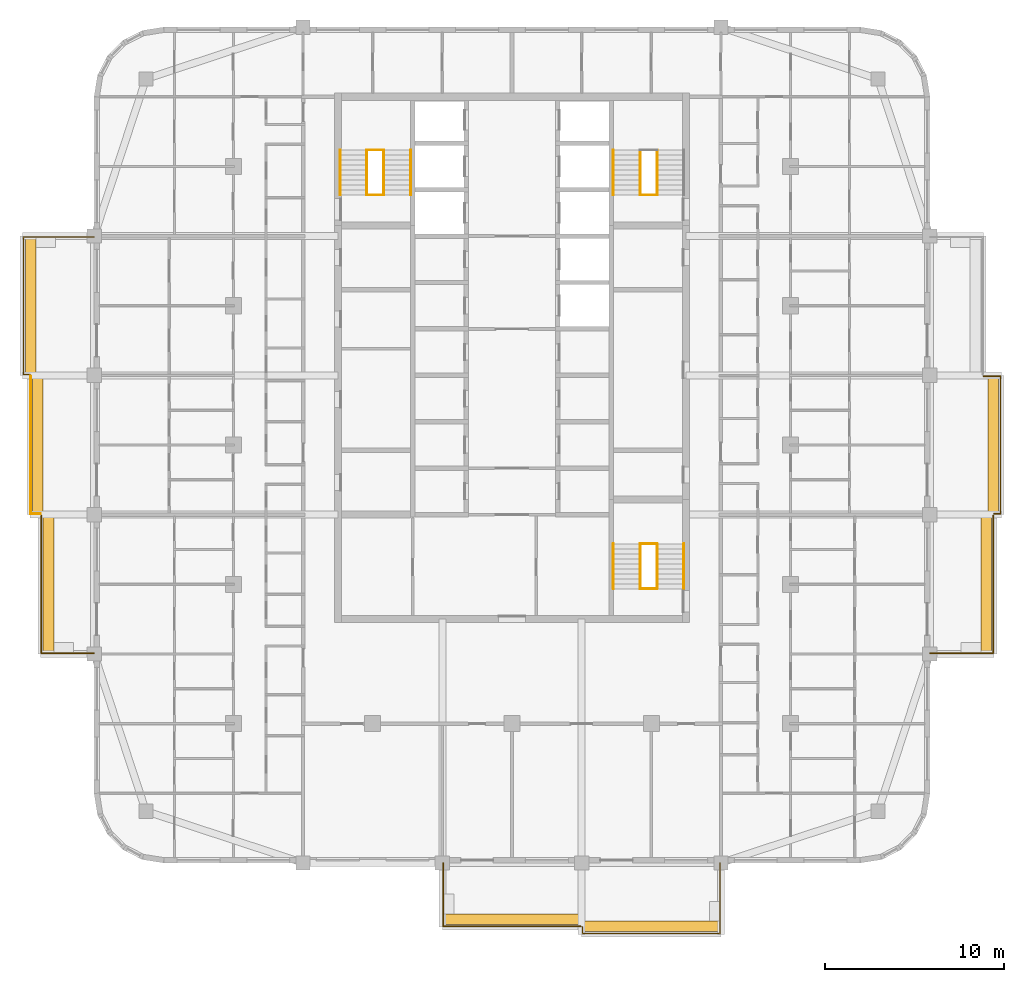
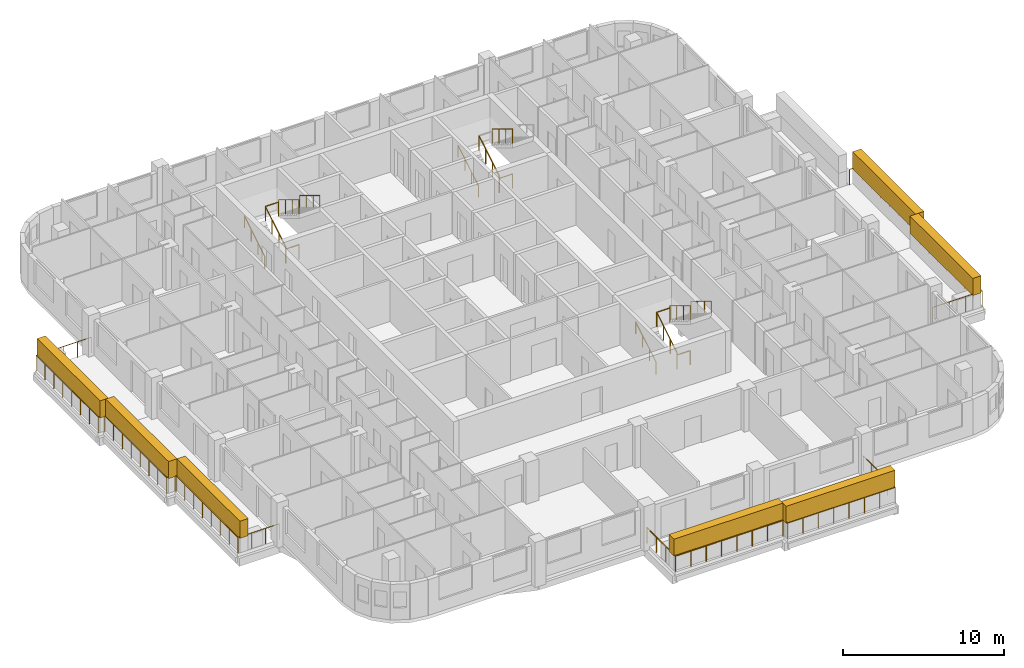
# One storey, part 15 of 16: 23 railings, 7 coverings, 3 elements without a shape of their own.
"""IFC4 building model written with IfcOpenShell, lengths in metres."""

from ifc_helpers import new_model, si_unit, direction, frame, origin, origin_2d, place, context, subcontext, project, spatial, rectangle, circle, extrude, material, layer, layer_set, type_object, element, aggregate, save


model = new_model("IFC4")

# Units and contexts
model_context = context("Model", 3, precision=1e-05, world=origin(), true_north=direction((0.0, 1.0)))
body_context = subcontext(model_context, "Body", "Model", "MODEL_VIEW")
ifc_project = project(units=[si_unit("LENGTHUNIT", "METRE"), si_unit("AREAUNIT", "SQUARE_METRE"), si_unit("VOLUMEUNIT", "CUBIC_METRE"), si_unit("PLANEANGLEUNIT", "RADIAN"), si_unit("MASSUNIT", "GRAM", prefix="KILO")], contexts=[model_context])

# Site, building, storey
site_placement = place(None, origin())
site = spatial("IfcSite", under=ifc_project, at=site_placement, CompositionType="ELEMENT")
building_placement = place(site_placement, origin())
building = spatial("IfcBuilding", under=site, at=building_placement, Name="Ludao Terraces", CompositionType="ELEMENT")
storey_placement = place(building_placement, frame((0.0, 0.0, 234.699951171875)))
storey = spatial("IfcBuildingStorey", under=building, at=storey_placement, Name="L64", CompositionType="ELEMENT", Elevation=234.699951171875)

# Railings
ifc_material_1 = material(Name="Stainless steel 304", Category="steel")
railing_type_1 = type_object("IfcRailingType", Name="ENV Balcony glass guard 1200", PredefinedType="GUARDRAIL", material=ifc_material_1)
railing_1_placement = place(storey_placement, frame((81.14990234375, 41.60009765625, 0.0)))
element("IfcRailing", 1, at=railing_1_placement, inside=storey, type_object=railing_type_1, Name="Balcony guard L64 S2", PredefinedType="GUARDRAIL", context=body_context, shape_type="SweptSolid", body=[
    extrude(circle(Radius=0.02392578125, at=origin_2d()), frame((0.0, 0.0, 1.17578125), z_axis=(0.0, -1.0, 0.0), x_axis=(1.0, 0.0, 0.0)), (0.0, 0.0, 1.0), 3.550048828125),
    extrude(circle(Radius=0.02392578125, at=origin_2d()), frame((0.0, -3.550048828125, 1.17578125), z_axis=(1.0, 0.0, 0.0), x_axis=(0.0, 1.0, 0.0)), (0.0, 0.0, 1.0), 7.7001953125),
    extrude(circle(Radius=0.02099609375, at=origin_2d()), origin(), (0.0, 0.0, 1.0), 1.15185546875),
    extrude(circle(Radius=0.02099609375, at=origin_2d()), frame((0.0, -1.183349609375, 0.0)), (0.0, 0.0, 1.0), 1.15185546875),
    extrude(circle(Radius=0.02099609375, at=origin_2d()), frame((0.0, -2.36669921875, 0.0)), (0.0, 0.0, 1.0), 1.15185546875),
    extrude(circle(Radius=0.02099609375, at=origin_2d()), frame((0.0, -3.550048828125, 0.0)), (0.0, 0.0, 1.0), 1.15185546875),
    extrude(circle(Radius=0.02099609375, at=origin_2d()), frame((1.10009765625, -3.550048828125, 0.0)), (0.0, 0.0, 1.0), 1.15185546875),
    extrude(circle(Radius=0.02099609375, at=origin_2d()), frame((2.199951171875, -3.550048828125, 0.0)), (0.0, 0.0, 1.0), 1.15185546875),
    extrude(circle(Radius=0.02099609375, at=origin_2d()), frame((3.300048828125, -3.550048828125, 0.0)), (0.0, 0.0, 1.0), 1.15185546875),
    extrude(circle(Radius=0.02099609375, at=origin_2d()), frame((4.400146484375, -3.550048828125, 0.0)), (0.0, 0.0, 1.0), 1.15185546875),
    extrude(circle(Radius=0.02099609375, at=origin_2d()), frame((5.500244140625, -3.550048828125, 0.0)), (0.0, 0.0, 1.0), 1.15185546875),
    extrude(circle(Radius=0.02099609375, at=origin_2d()), frame((6.60009765625, -3.550048828125, 0.0)), (0.0, 0.0, 1.0), 1.15185546875),
    extrude(circle(Radius=0.02099609375, at=origin_2d()), frame((7.7001953125, -3.550048828125, 0.0)), (0.0, 0.0, 1.0), 1.15185546875),
])
railing_2_placement = place(storey_placement, frame((88.949951171875, 38.0, 0.0)))
element("IfcRailing", 2, at=railing_2_placement, inside=storey, type_object=railing_type_1, Name="Balcony guard L64 S3", PredefinedType="GUARDRAIL", context=body_context, shape_type="SweptSolid", body=[
    extrude(circle(Radius=0.02392578125, at=origin_2d()), frame((0.0, 0.0, 1.17578125), z_axis=(0.0, -1.0, 0.0), x_axis=(1.0, 0.0, 0.0)), (0.0, 0.0, 1.0), 0.35009765625),
    extrude(circle(Radius=0.02392578125, at=origin_2d()), frame((0.0, -0.35009765625, 1.17578125), z_axis=(1.0, 0.0, 0.0), x_axis=(0.0, 1.0, 0.0)), (0.0, 0.0, 1.0), 7.699951171875),
    extrude(circle(Radius=0.02392578125, at=origin_2d()), frame((7.699951171875, -0.35009765625, 1.17578125), z_axis=(0.0, 1.0, 0.0), x_axis=(-1.0, 0.0, 0.0)), (0.0, 0.0, 1.0), 3.9501953125),
    extrude(circle(Radius=0.02099609375, at=origin_2d()), origin(), (0.0, 0.0, 1.0), 1.15185546875),
    extrude(circle(Radius=0.02099609375, at=origin_2d()), frame((0.0, -0.35009765625, 0.0)), (0.0, 0.0, 1.0), 1.15185546875),
    extrude(circle(Radius=0.02099609375, at=origin_2d()), frame((1.10009765625, -0.35009765625, 0.0)), (0.0, 0.0, 1.0), 1.15185546875),
    extrude(circle(Radius=0.02099609375, at=origin_2d()), frame((2.199951171875, -0.35009765625, 0.0)), (0.0, 0.0, 1.0), 1.15185546875),
    extrude(circle(Radius=0.02099609375, at=origin_2d()), frame((3.300048828125, -0.35009765625, 0.0)), (0.0, 0.0, 1.0), 1.15185546875),
    extrude(circle(Radius=0.02099609375, at=origin_2d()), frame((4.39990234375, -0.35009765625, 0.0)), (0.0, 0.0, 1.0), 1.15185546875),
    extrude(circle(Radius=0.02099609375, at=origin_2d()), frame((5.5, -0.35009765625, 0.0)), (0.0, 0.0, 1.0), 1.15185546875),
    extrude(circle(Radius=0.02099609375, at=origin_2d()), frame((6.599853515625, -0.35009765625, 0.0)), (0.0, 0.0, 1.0), 1.15185546875),
    extrude(circle(Radius=0.02099609375, at=origin_2d()), frame((7.699951171875, -0.35009765625, 0.0)), (0.0, 0.0, 1.0), 1.15185546875),
    extrude(circle(Radius=0.02099609375, at=origin_2d()), frame((7.699951171875, 0.637451171875, 0.0)), (0.0, 0.0, 1.0), 1.15185546875),
    extrude(circle(Radius=0.02099609375, at=origin_2d()), frame((7.699951171875, 1.625, 0.0)), (0.0, 0.0, 1.0), 1.15185546875),
    extrude(circle(Radius=0.02099609375, at=origin_2d()), frame((7.699951171875, 2.612548828125, 0.0)), (0.0, 0.0, 1.0), 1.15185546875),
    extrude(circle(Radius=0.02099609375, at=origin_2d()), frame((7.699951171875, 3.60009765625, 0.0)), (0.0, 0.0, 1.0), 1.15185546875),
])
railing_3_placement = place(storey_placement, frame((108.39990234375, 53.35009765625, 0.0)))
element("IfcRailing", 3, at=railing_3_placement, inside=storey, type_object=railing_type_1, Name="Balcony guard L64 E1", PredefinedType="GUARDRAIL", context=body_context, shape_type="SweptSolid", body=[
    extrude(circle(Radius=0.02392578125, at=origin_2d()), frame((0.0, 0.0, 1.17578125), z_axis=(1.0, 0.0, 0.0), x_axis=(0.0, 1.0, 0.0)), (0.0, 0.0, 1.0), 3.550048828125),
    extrude(circle(Radius=0.02392578125, at=origin_2d()), frame((3.550048828125, 0.0, 1.17578125), z_axis=(0.0, 1.0, 0.0), x_axis=(-1.0, 0.0, 0.0)), (0.0, 0.0, 1.0), 7.699951171875),
    extrude(circle(Radius=0.02099609375, at=origin_2d()), origin(), (0.0, 0.0, 1.0), 1.15185546875),
    extrude(circle(Radius=0.02099609375, at=origin_2d()), frame((1.183349609375, 0.0, 0.0)), (0.0, 0.0, 1.0), 1.15185546875),
    extrude(circle(Radius=0.02099609375, at=origin_2d()), frame((2.36669921875, 0.0, 0.0)), (0.0, 0.0, 1.0), 1.15185546875),
    extrude(circle(Radius=0.02099609375, at=origin_2d()), frame((3.550048828125, 0.0, 0.0)), (0.0, 0.0, 1.0), 1.15185546875),
    extrude(circle(Radius=0.02099609375, at=origin_2d()), frame((3.550048828125, 1.10009765625, 0.0)), (0.0, 0.0, 1.0), 1.15185546875),
    extrude(circle(Radius=0.02099609375, at=origin_2d()), frame((3.550048828125, 2.199951171875, 0.0)), (0.0, 0.0, 1.0), 1.15185546875),
    extrude(circle(Radius=0.02099609375, at=origin_2d()), frame((3.550048828125, 3.300048828125, 0.0)), (0.0, 0.0, 1.0), 1.15185546875),
    extrude(circle(Radius=0.02099609375, at=origin_2d()), frame((3.550048828125, 4.39990234375, 0.0)), (0.0, 0.0, 1.0), 1.15185546875),
    extrude(circle(Radius=0.02099609375, at=origin_2d()), frame((3.550048828125, 5.5, 0.0)), (0.0, 0.0, 1.0), 1.15185546875),
    extrude(circle(Radius=0.02099609375, at=origin_2d()), frame((3.550048828125, 6.599853515625, 0.0)), (0.0, 0.0, 1.0), 1.15185546875),
    extrude(circle(Radius=0.02099609375, at=origin_2d()), frame((3.550048828125, 7.699951171875, 0.0)), (0.0, 0.0, 1.0), 1.15185546875),
])
railing_4_placement = place(storey_placement, frame((112.0, 61.14990234375, 0.0)))
element("IfcRailing", 4, at=railing_4_placement, inside=storey, type_object=railing_type_1, Name="Balcony guard L64 E2", PredefinedType="GUARDRAIL", context=body_context, shape_type="SweptSolid", body=[
    extrude(circle(Radius=0.02392578125, at=origin_2d()), frame((0.0, 0.0, 1.17578125), z_axis=(1.0, 0.0, 0.0), x_axis=(0.0, 1.0, 0.0)), (0.0, 0.0, 1.0), 0.35009765625),
    extrude(circle(Radius=0.02392578125, at=origin_2d()), frame((0.35009765625, 0.0, 1.17578125), z_axis=(0.0, 1.0, 0.0), x_axis=(-1.0, 0.0, 0.0)), (0.0, 0.0, 1.0), 7.7001953125),
    extrude(circle(Radius=0.02392578125, at=origin_2d()), frame((0.35009765625, 7.7001953125, 1.17578125), z_axis=(-1.0, 0.0, 0.0), x_axis=(0.0, -1.0, 0.0)), (0.0, 0.0, 1.0), 0.9501953125),
    extrude(circle(Radius=0.02099609375, at=origin_2d()), origin(), (0.0, 0.0, 1.0), 1.15185546875),
    extrude(circle(Radius=0.02099609375, at=origin_2d()), frame((0.35009765625, 0.0, 0.0)), (0.0, 0.0, 1.0), 1.15185546875),
    extrude(circle(Radius=0.02099609375, at=origin_2d()), frame((0.35009765625, 1.10009765625, 0.0)), (0.0, 0.0, 1.0), 1.15185546875),
    extrude(circle(Radius=0.02099609375, at=origin_2d()), frame((0.35009765625, 2.199951171875, 0.0)), (0.0, 0.0, 1.0), 1.15185546875),
    extrude(circle(Radius=0.02099609375, at=origin_2d()), frame((0.35009765625, 3.300048828125, 0.0)), (0.0, 0.0, 1.0), 1.15185546875),
    extrude(circle(Radius=0.02099609375, at=origin_2d()), frame((0.35009765625, 4.400146484375, 0.0)), (0.0, 0.0, 1.0), 1.15185546875),
    extrude(circle(Radius=0.02099609375, at=origin_2d()), frame((0.35009765625, 5.500244140625, 0.0)), (0.0, 0.0, 1.0), 1.15185546875),
    extrude(circle(Radius=0.02099609375, at=origin_2d()), frame((0.35009765625, 6.60009765625, 0.0)), (0.0, 0.0, 1.0), 1.15185546875),
    extrude(circle(Radius=0.02099609375, at=origin_2d()), frame((0.35009765625, 7.7001953125, 0.0)), (0.0, 0.0, 1.0), 1.15185546875),
    extrude(circle(Radius=0.02099609375, at=origin_2d()), frame((-0.60009765625, 7.7001953125, 0.0)), (0.0, 0.0, 1.0), 1.15185546875),
])
railing_5_placement = place(storey_placement, frame((61.60009765625, 53.35009765625, 0.0)))
element("IfcRailing", 5, at=railing_5_placement, inside=storey, type_object=railing_type_1, Name="Balcony guard L64 W1", PredefinedType="GUARDRAIL", context=body_context, shape_type="SweptSolid", body=[
    extrude(circle(Radius=0.02392578125, at=origin_2d()), frame((0.0, 0.0, 1.17578125), z_axis=(-1.0, 0.0, 0.0), x_axis=(0.0, -1.0, 0.0)), (0.0, 0.0, 1.0), 2.9501953125),
    extrude(circle(Radius=0.02392578125, at=origin_2d()), frame((-2.9501953125, 0.0, 1.17578125), z_axis=(0.0, 1.0, 0.0), x_axis=(-1.0, 0.0, 0.0)), (0.0, 0.0, 1.0), 7.699951171875),
    extrude(circle(Radius=0.02099609375, at=origin_2d()), origin(), (0.0, 0.0, 1.0), 1.15185546875),
    extrude(circle(Radius=0.02099609375, at=origin_2d()), frame((-0.9833984375, 0.0, 0.0)), (0.0, 0.0, 1.0), 1.15185546875),
    extrude(circle(Radius=0.02099609375, at=origin_2d()), frame((-1.966796875, 0.0, 0.0)), (0.0, 0.0, 1.0), 1.15185546875),
    extrude(circle(Radius=0.02099609375, at=origin_2d()), frame((-2.9501953125, 0.0, 0.0)), (0.0, 0.0, 1.0), 1.15185546875),
    extrude(circle(Radius=0.02099609375, at=origin_2d()), frame((-2.9501953125, 1.10009765625, 0.0)), (0.0, 0.0, 1.0), 1.15185546875),
    extrude(circle(Radius=0.02099609375, at=origin_2d()), frame((-2.9501953125, 2.199951171875, 0.0)), (0.0, 0.0, 1.0), 1.15185546875),
    extrude(circle(Radius=0.02099609375, at=origin_2d()), frame((-2.9501953125, 3.300048828125, 0.0)), (0.0, 0.0, 1.0), 1.15185546875),
    extrude(circle(Radius=0.02099609375, at=origin_2d()), frame((-2.9501953125, 4.39990234375, 0.0)), (0.0, 0.0, 1.0), 1.15185546875),
    extrude(circle(Radius=0.02099609375, at=origin_2d()), frame((-2.9501953125, 5.5, 0.0)), (0.0, 0.0, 1.0), 1.15185546875),
    extrude(circle(Radius=0.02099609375, at=origin_2d()), frame((-2.9501953125, 6.599853515625, 0.0)), (0.0, 0.0, 1.0), 1.15185546875),
    extrude(circle(Radius=0.02099609375, at=origin_2d()), frame((-2.9501953125, 7.699951171875, 0.0)), (0.0, 0.0, 1.0), 1.15185546875),
])
railing_6_placement = place(storey_placement, frame((58.60009765625, 61.14990234375, 0.0)))
element("IfcRailing", 6, at=railing_6_placement, inside=storey, type_object=railing_type_1, Name="Balcony guard L64 W2", PredefinedType="GUARDRAIL", context=body_context, shape_type="SweptSolid", body=[
    extrude(circle(Radius=0.02392578125, at=origin_2d()), frame((0.0, 0.0, 1.17578125), z_axis=(-1.0, 0.0, 0.0), x_axis=(0.0, -1.0, 0.0)), (0.0, 0.0, 1.0), 0.550048828125),
    extrude(circle(Radius=0.02392578125, at=origin_2d()), frame((-0.550048828125, 0.0, 1.17578125), z_axis=(0.0, 1.0, 0.0), x_axis=(-1.0, 0.0, 0.0)), (0.0, 0.0, 1.0), 7.7001953125),
    extrude(circle(Radius=0.02099609375, at=origin_2d()), origin(), (0.0, 0.0, 1.0), 1.15185546875),
    extrude(circle(Radius=0.02099609375, at=origin_2d()), frame((-0.550048828125, 0.0, 0.0)), (0.0, 0.0, 1.0), 1.15185546875),
    extrude(circle(Radius=0.02099609375, at=origin_2d()), frame((-0.550048828125, 1.10009765625, 0.0)), (0.0, 0.0, 1.0), 1.15185546875),
    extrude(circle(Radius=0.02099609375, at=origin_2d()), frame((-0.550048828125, 2.199951171875, 0.0)), (0.0, 0.0, 1.0), 1.15185546875),
    extrude(circle(Radius=0.02099609375, at=origin_2d()), frame((-0.550048828125, 3.300048828125, 0.0)), (0.0, 0.0, 1.0), 1.15185546875),
    extrude(circle(Radius=0.02099609375, at=origin_2d()), frame((-0.550048828125, 4.400146484375, 0.0)), (0.0, 0.0, 1.0), 1.15185546875),
    extrude(circle(Radius=0.02099609375, at=origin_2d()), frame((-0.550048828125, 5.500244140625, 0.0)), (0.0, 0.0, 1.0), 1.15185546875),
    extrude(circle(Radius=0.02099609375, at=origin_2d()), frame((-0.550048828125, 6.60009765625, 0.0)), (0.0, 0.0, 1.0), 1.15185546875),
    extrude(circle(Radius=0.02099609375, at=origin_2d()), frame((-0.550048828125, 7.7001953125, 0.0)), (0.0, 0.0, 1.0), 1.15185546875),
])
railing_7_placement = place(storey_placement, frame((58.0, 68.949951171875, 0.0)))
element("IfcRailing", 7, at=railing_7_placement, inside=storey, type_object=railing_type_1, Name="Balcony guard L64 W3", PredefinedType="GUARDRAIL", context=body_context, shape_type="SweptSolid", body=[
    extrude(circle(Radius=0.02392578125, at=origin_2d()), frame((0.0, 0.0, 1.17578125), z_axis=(-1.0, 0.0, 0.0), x_axis=(0.0, -1.0, 0.0)), (0.0, 0.0, 1.0), 0.35009765625),
    extrude(circle(Radius=0.02392578125, at=origin_2d()), frame((-0.35009765625, 0.0, 1.17578125), z_axis=(0.0, 1.0, 0.0), x_axis=(-1.0, 0.0, 0.0)), (0.0, 0.0, 1.0), 7.699951171875),
    extrude(circle(Radius=0.02392578125, at=origin_2d()), frame((-0.35009765625, 7.699951171875, 1.17578125), z_axis=(1.0, 0.0, 0.0), x_axis=(0.0, 1.0, 0.0)), (0.0, 0.0, 1.0), 3.9501953125),
    extrude(circle(Radius=0.02099609375, at=origin_2d()), origin(), (0.0, 0.0, 1.0), 1.15185546875),
    extrude(circle(Radius=0.02099609375, at=origin_2d()), frame((-0.35009765625, 0.0, 0.0)), (0.0, 0.0, 1.0), 1.15185546875),
    extrude(circle(Radius=0.02099609375, at=origin_2d()), frame((-0.35009765625, 1.10009765625, 0.0)), (0.0, 0.0, 1.0), 1.15185546875),
    extrude(circle(Radius=0.02099609375, at=origin_2d()), frame((-0.35009765625, 2.199951171875, 0.0)), (0.0, 0.0, 1.0), 1.15185546875),
    extrude(circle(Radius=0.02099609375, at=origin_2d()), frame((-0.35009765625, 3.300048828125, 0.0)), (0.0, 0.0, 1.0), 1.15185546875),
    extrude(circle(Radius=0.02099609375, at=origin_2d()), frame((-0.35009765625, 4.39990234375, 0.0)), (0.0, 0.0, 1.0), 1.15185546875),
    extrude(circle(Radius=0.02099609375, at=origin_2d()), frame((-0.35009765625, 5.5, 0.0)), (0.0, 0.0, 1.0), 1.15185546875),
    extrude(circle(Radius=0.02099609375, at=origin_2d()), frame((-0.35009765625, 6.599853515625, 0.0)), (0.0, 0.0, 1.0), 1.15185546875),
    extrude(circle(Radius=0.02099609375, at=origin_2d()), frame((-0.35009765625, 7.699951171875, 0.0)), (0.0, 0.0, 1.0), 1.15185546875),
    extrude(circle(Radius=0.02099609375, at=origin_2d()), frame((0.637451171875, 7.699951171875, 0.0)), (0.0, 0.0, 1.0), 1.15185546875),
    extrude(circle(Radius=0.02099609375, at=origin_2d()), frame((1.625, 7.699951171875, 0.0)), (0.0, 0.0, 1.0), 1.15185546875),
    extrude(circle(Radius=0.02099609375, at=origin_2d()), frame((2.612548828125, 7.699951171875, 0.0)), (0.0, 0.0, 1.0), 1.15185546875),
    extrude(circle(Radius=0.02099609375, at=origin_2d()), frame((3.60009765625, 7.699951171875, 0.0)), (0.0, 0.0, 1.0), 1.15185546875),
])

# Coverings
ifc_material_2 = material(Name="Planting")
ifc_layer = layer(ifc_material_2, 0.60009765625)
ifc_layer_set = layer_set([ifc_layer], Name="ENV Planting hedge 600x1300")
covering_type = type_object("IfcCoveringType", Name="ENV Planting hedge 600x1300", PredefinedType="USERDEFINED", material=ifc_layer_set)
for number, where, z_axis, x_axis, name in (
    (8, (85.0, 38.449951171875, 1.10009765625), (0.0, 0.0, 1.0), (1.0, 0.0, 0.0), "Planting hedge L64-S2"),
    (9, (92.800048828125, 38.050048828125, 1.10009765625), (0.0, 0.0, 1.0), (1.0, 0.0, 0.0), "Planting hedge L64-S3"),
):
    element("IfcCovering", number, at=place(storey_placement, frame(where, z_axis=z_axis, x_axis=x_axis)), inside=storey, type_object=covering_type, Name=name, ObjectType="PLANTING", PredefinedType="USERDEFINED", context=body_context, shape_type="SweptSolid", body=[
        extrude(rectangle(XDim=7.800048828125, YDim=0.60009765625, at=origin_2d()), origin(), (0.0, 0.0, 1.0), 1.300048828125),
    ])
for number, where, z_axis, x_axis, name in (
    (10, (111.550048828125, 57.199951171875, 1.10009765625), (0.0, 0.0, 1.0), (1.0, 0.0, 0.0), "Planting hedge L64-E1"),
    (11, (111.949951171875, 65.0, 1.10009765625), (0.0, 0.0, 1.0), (1.0, 0.0, 0.0), "Planting hedge L64-E2"),
    (12, (59.050048828125, 57.199951171875, 1.10009765625), (0.0, 0.0, 1.0), (1.0, 0.0, 0.0), "Planting hedge L64-W1"),
    (13, (58.449951171875, 65.0, 1.10009765625), (0.0, 0.0, 1.0), (1.0, 0.0, 0.0), "Planting hedge L64-W2"),
    (14, (58.050048828125, 72.800048828125, 1.10009765625), (0.0, 0.0, 1.0), (1.0, 0.0, 0.0), "Planting hedge L64-W3"),
):
    element("IfcCovering", number, at=place(storey_placement, frame(where, z_axis=z_axis, x_axis=x_axis)), inside=storey, type_object=covering_type, Name=name, ObjectType="PLANTING", PredefinedType="USERDEFINED", context=body_context, shape_type="SweptSolid", body=[
        extrude(rectangle(XDim=0.60009765625, YDim=7.800048828125, at=origin_2d()), origin(), (0.0, 0.0, 1.0), 1.300048828125),
    ])

# Stair, railings
ifc_material_3 = material(Name="Concrete C40", Category="concrete")
stair_type = type_object("IfcStairType", Name="INT Stair", PredefinedType="HALF_TURN_STAIR", material=ifc_material_3)
stair_1_placement = place(storey_placement, origin())
stair_1 = element("IfcStair", 15, at=stair_1_placement, inside=storey, type_object=stair_type, Name="EXIT STAIR 1", PredefinedType="HALF_TURN_STAIR")
railing_type_2 = type_object("IfcRailingType", Name="INT Stair guard 1100", PredefinedType="GUARDRAIL", material=ifc_material_1)
railing_8_placement = place(storey_placement, frame((76.875, 79.0, 0.170166015625)))
railing_8 = element("IfcRailing", 16, at=railing_8_placement, type_object=railing_type_2, Name="ST-L64-S1-R1G", PredefinedType="GUARDRAIL", context=body_context, shape_type="SweptSolid", body=[
    extrude(circle(Radius=0.02392578125, at=origin_2d()), frame((0.0, 0.0, 1.076171875), z_axis=(0.0, 0.854821627497, 0.518921945155), x_axis=(-1.0, 0.0, 0.0)), (0.0, 0.0, 1.0), 2.947998046875),
    extrude(circle(Radius=0.02099609375, at=origin_2d()), origin(), (0.0, 0.0, 1.0), 1.052001953125),
    extrude(circle(Radius=0.02099609375, at=origin_2d()), frame((0.0, 0.840087890625, 0.510009765625)), (0.0, 0.0, 1.0), 1.052001953125),
    extrude(circle(Radius=0.02099609375, at=origin_2d()), frame((0.0, 1.679931640625, 1.019775390625)), (0.0, 0.0, 1.0), 1.052001953125),
    extrude(circle(Radius=0.02099609375, at=origin_2d()), frame((0.0, 2.52001953125, 1.52978515625)), (0.0, 0.0, 1.0), 1.052001953125),
])
railing_9_placement = place(storey_placement, frame((77.824951171875, 81.52001953125, 1.8701171875)))
railing_9 = element("IfcRailing", 17, at=railing_9_placement, type_object=railing_type_2, Name="ST-L64-S1-R2G", PredefinedType="GUARDRAIL", context=body_context, shape_type="SweptSolid", body=[
    extrude(circle(Radius=0.02392578125, at=origin_2d()), frame((0.0, 0.0, 1.076171875), z_axis=(0.0, -0.85478489116, 0.518982456201), x_axis=(1.0, 0.0, 0.0)), (0.0, 0.0, 1.0), 2.9482421875),
    extrude(circle(Radius=0.02099609375, at=origin_2d()), origin(), (0.0, 0.0, 1.0), 1.052001953125),
    extrude(circle(Radius=0.02099609375, at=origin_2d()), frame((0.0, -0.840087890625, 0.510009765625)), (0.0, 0.0, 1.0), 1.052001953125),
    extrude(circle(Radius=0.02099609375, at=origin_2d()), frame((0.0, -1.679931640625, 1.02001953125)), (0.0, 0.0, 1.0), 1.052001953125),
    extrude(circle(Radius=0.02099609375, at=origin_2d()), frame((0.0, -2.52001953125, 1.530029296875)), (0.0, 0.0, 1.0), 1.052001953125),
])
railing_10_placement = place(storey_placement, frame((76.875, 81.52001953125, 1.699951171875)))
railing_10 = element("IfcRailing", 18, at=railing_10_placement, type_object=railing_type_2, Name="ST-L64-S1-E1G", PredefinedType="GUARDRAIL", context=body_context, shape_type="SweptSolid", body=[
    extrude(circle(Radius=0.02392578125, at=origin_2d()), frame((0.0, 0.0, 1.076171875), z_axis=(1.0, 0.0, 0.0), x_axis=(0.0, 1.0, 0.0)), (0.0, 0.0, 1.0), 0.949951171875),
    extrude(circle(Radius=0.02099609375, at=origin_2d()), origin(), (0.0, 0.0, 1.0), 1.052001953125),
    extrude(circle(Radius=0.02099609375, at=origin_2d()), frame((0.949951171875, 0.0, 0.0)), (0.0, 0.0, 1.0), 1.052001953125),
])
railing_11_placement = place(storey_placement, frame((76.875, 79.0, 0.0)))
railing_11 = element("IfcRailing", 19, at=railing_11_placement, type_object=railing_type_2, Name="ST-L64-S1-E2G", PredefinedType="GUARDRAIL", context=body_context, shape_type="SweptSolid", body=[
    extrude(circle(Radius=0.02392578125, at=origin_2d()), frame((0.0, 0.0, 1.076171875), z_axis=(1.0, 0.0, 0.0), x_axis=(0.0, 1.0, 0.0)), (0.0, 0.0, 1.0), 0.949951171875),
    extrude(circle(Radius=0.02099609375, at=origin_2d()), origin(), (0.0, 0.0, 1.0), 1.052001953125),
    extrude(circle(Radius=0.02099609375, at=origin_2d()), frame((0.949951171875, 0.0, 0.0)), (0.0, 0.0, 1.0), 1.052001953125),
])

stair_2_placement = place(storey_placement, origin())
stair_2 = element("IfcStair", 20, at=stair_2_placement, inside=storey, type_object=stair_type, Name="EXIT STAIR 2", PredefinedType="HALF_TURN_STAIR")
railing_12_placement = place(storey_placement, frame((92.175048828125, 79.0, 0.170166015625)))
railing_12 = element("IfcRailing", 21, at=railing_12_placement, type_object=railing_type_2, Name="ST-L64-S2-R1G", PredefinedType="GUARDRAIL", context=body_context, shape_type="SweptSolid", body=[
    extrude(circle(Radius=0.02392578125, at=origin_2d()), frame((0.0, 0.0, 1.076171875), z_axis=(0.0, 0.854821627497, 0.518921945155), x_axis=(-1.0, 0.0, 0.0)), (0.0, 0.0, 1.0), 2.947998046875),
    extrude(circle(Radius=0.02099609375, at=origin_2d()), origin(), (0.0, 0.0, 1.0), 1.052001953125),
    extrude(circle(Radius=0.02099609375, at=origin_2d()), frame((0.0, 0.840087890625, 0.510009765625)), (0.0, 0.0, 1.0), 1.052001953125),
    extrude(circle(Radius=0.02099609375, at=origin_2d()), frame((0.0, 1.679931640625, 1.019775390625)), (0.0, 0.0, 1.0), 1.052001953125),
    extrude(circle(Radius=0.02099609375, at=origin_2d()), frame((0.0, 2.52001953125, 1.52978515625)), (0.0, 0.0, 1.0), 1.052001953125),
])
railing_13_placement = place(storey_placement, frame((93.125, 81.52001953125, 1.8701171875)))
railing_13 = element("IfcRailing", 22, at=railing_13_placement, type_object=railing_type_2, Name="ST-L64-S2-R2G", PredefinedType="GUARDRAIL", context=body_context, shape_type="SweptSolid", body=[
    extrude(circle(Radius=0.02392578125, at=origin_2d()), frame((0.0, 0.0, 1.076171875), z_axis=(0.0, -0.85478489116, 0.518982456201), x_axis=(1.0, 0.0, 0.0)), (0.0, 0.0, 1.0), 2.9482421875),
    extrude(circle(Radius=0.02099609375, at=origin_2d()), origin(), (0.0, 0.0, 1.0), 1.052001953125),
    extrude(circle(Radius=0.02099609375, at=origin_2d()), frame((0.0, -0.840087890625, 0.510009765625)), (0.0, 0.0, 1.0), 1.052001953125),
    extrude(circle(Radius=0.02099609375, at=origin_2d()), frame((0.0, -1.679931640625, 1.02001953125)), (0.0, 0.0, 1.0), 1.052001953125),
    extrude(circle(Radius=0.02099609375, at=origin_2d()), frame((0.0, -2.52001953125, 1.530029296875)), (0.0, 0.0, 1.0), 1.052001953125),
])
railing_14_placement = place(storey_placement, frame((92.175048828125, 79.0, 0.0)))
railing_14 = element("IfcRailing", 23, at=railing_14_placement, type_object=railing_type_2, Name="ST-L64-S2-E2G", PredefinedType="GUARDRAIL", context=body_context, shape_type="SweptSolid", body=[
    extrude(circle(Radius=0.02392578125, at=origin_2d()), frame((0.0, 0.0, 1.076171875), z_axis=(1.0, 0.0, 0.0), x_axis=(0.0, 1.0, 0.0)), (0.0, 0.0, 1.0), 0.949951171875),
    extrude(circle(Radius=0.02099609375, at=origin_2d()), origin(), (0.0, 0.0, 1.0), 1.052001953125),
    extrude(circle(Radius=0.02099609375, at=origin_2d()), frame((0.949951171875, 0.0, 0.0)), (0.0, 0.0, 1.0), 1.052001953125),
])

stair_3_placement = place(storey_placement, origin())
stair_3 = element("IfcStair", 24, at=stair_3_placement, inside=storey, type_object=stair_type, Name="EXIT STAIR 3", PredefinedType="HALF_TURN_STAIR")
railing_15_placement = place(storey_placement, frame((92.175048828125, 56.949951171875, 0.170166015625)))
railing_15 = element("IfcRailing", 25, at=railing_15_placement, type_object=railing_type_2, Name="ST-L64-S3-R1G", PredefinedType="GUARDRAIL", context=body_context, shape_type="SweptSolid", body=[
    extrude(circle(Radius=0.02392578125, at=origin_2d()), frame((0.0, 0.0, 1.076171875), z_axis=(0.0, 0.854821627497, 0.518921945155), x_axis=(-1.0, 0.0, 0.0)), (0.0, 0.0, 1.0), 2.947998046875),
    extrude(circle(Radius=0.02099609375, at=origin_2d()), origin(), (0.0, 0.0, 1.0), 1.052001953125),
    extrude(circle(Radius=0.02099609375, at=origin_2d()), frame((0.0, 0.840087890625, 0.510009765625)), (0.0, 0.0, 1.0), 1.052001953125),
    extrude(circle(Radius=0.02099609375, at=origin_2d()), frame((0.0, 1.679931640625, 1.019775390625)), (0.0, 0.0, 1.0), 1.052001953125),
    extrude(circle(Radius=0.02099609375, at=origin_2d()), frame((0.0, 2.52001953125, 1.52978515625)), (0.0, 0.0, 1.0), 1.052001953125),
])
railing_16_placement = place(storey_placement, frame((93.125, 59.469970703125, 1.8701171875)))
railing_16 = element("IfcRailing", 26, at=railing_16_placement, type_object=railing_type_2, Name="ST-L64-S3-R2G", PredefinedType="GUARDRAIL", context=body_context, shape_type="SweptSolid", body=[
    extrude(circle(Radius=0.02392578125, at=origin_2d()), frame((0.0, 0.0, 1.076171875), z_axis=(0.0, -0.85478489116, 0.518982456201), x_axis=(1.0, 0.0, 0.0)), (0.0, 0.0, 1.0), 2.9482421875),
    extrude(circle(Radius=0.02099609375, at=origin_2d()), origin(), (0.0, 0.0, 1.0), 1.052001953125),
    extrude(circle(Radius=0.02099609375, at=origin_2d()), frame((0.0, -0.840087890625, 0.510009765625)), (0.0, 0.0, 1.0), 1.052001953125),
    extrude(circle(Radius=0.02099609375, at=origin_2d()), frame((0.0, -1.679931640625, 1.02001953125)), (0.0, 0.0, 1.0), 1.052001953125),
    extrude(circle(Radius=0.02099609375, at=origin_2d()), frame((0.0, -2.52001953125, 1.530029296875)), (0.0, 0.0, 1.0), 1.052001953125),
])
railing_17_placement = place(storey_placement, frame((92.175048828125, 59.469970703125, 1.699951171875)))
railing_17 = element("IfcRailing", 27, at=railing_17_placement, type_object=railing_type_2, Name="ST-L64-S3-E1G", PredefinedType="GUARDRAIL", context=body_context, shape_type="SweptSolid", body=[
    extrude(circle(Radius=0.02392578125, at=origin_2d()), frame((0.0, 0.0, 1.076171875), z_axis=(1.0, 0.0, 0.0), x_axis=(0.0, 1.0, 0.0)), (0.0, 0.0, 1.0), 0.949951171875),
    extrude(circle(Radius=0.02099609375, at=origin_2d()), origin(), (0.0, 0.0, 1.0), 1.052001953125),
    extrude(circle(Radius=0.02099609375, at=origin_2d()), frame((0.949951171875, 0.0, 0.0)), (0.0, 0.0, 1.0), 1.052001953125),
])
railing_18_placement = place(storey_placement, frame((92.175048828125, 56.949951171875, 0.0)))
railing_18 = element("IfcRailing", 28, at=railing_18_placement, type_object=railing_type_2, Name="ST-L64-S3-E2G", PredefinedType="GUARDRAIL", context=body_context, shape_type="SweptSolid", body=[
    extrude(circle(Radius=0.02392578125, at=origin_2d()), frame((0.0, 0.0, 1.076171875), z_axis=(1.0, 0.0, 0.0), x_axis=(0.0, 1.0, 0.0)), (0.0, 0.0, 1.0), 0.949951171875),
    extrude(circle(Radius=0.02099609375, at=origin_2d()), origin(), (0.0, 0.0, 1.0), 1.052001953125),
    extrude(circle(Radius=0.02099609375, at=origin_2d()), frame((0.949951171875, 0.0, 0.0)), (0.0, 0.0, 1.0), 1.052001953125),
])

# Railing
railing_type_3 = type_object("IfcRailingType", Name="INT Stair handrail 900", PredefinedType="HANDRAIL", material=ifc_material_1)
railing_19_placement = place(storey_placement, frame((75.375, 79.0, 0.170166015625)))
railing_19 = element("IfcRailing", 29, at=railing_19_placement, type_object=railing_type_3, Name="ST-L64-S1-R1H", PredefinedType="HANDRAIL", context=body_context, shape_type="SweptSolid", body=[
    extrude(circle(Radius=0.02392578125, at=origin_2d()), frame((0.0, 0.0, 0.8759765625), z_axis=(0.0, 0.854821627497, 0.518921945155), x_axis=(-1.0, 0.0, 0.0)), (0.0, 0.0, 1.0), 2.947998046875),
    extrude(circle(Radius=0.02099609375, at=origin_2d()), origin(), (0.0, 0.0, 1.0), 0.851806640625),
    extrude(circle(Radius=0.02099609375, at=origin_2d()), frame((0.0, 0.840087890625, 0.510009765625)), (0.0, 0.0, 1.0), 0.851806640625),
    extrude(circle(Radius=0.02099609375, at=origin_2d()), frame((0.0, 1.679931640625, 1.019775390625)), (0.0, 0.0, 1.0), 0.851806640625),
    extrude(circle(Radius=0.02099609375, at=origin_2d()), frame((0.0, 2.52001953125, 1.52978515625)), (0.0, 0.0, 1.0), 0.851806640625),
])

railing_20_placement = place(storey_placement, frame((79.324951171875, 81.52001953125, 1.8701171875)))
railing_20 = element("IfcRailing", 30, at=railing_20_placement, type_object=railing_type_3, Name="ST-L64-S1-R2H", PredefinedType="HANDRAIL", context=body_context, shape_type="SweptSolid", body=[
    extrude(circle(Radius=0.02392578125, at=origin_2d()), frame((0.0, 0.0, 0.8759765625), z_axis=(0.0, -0.85478489116, 0.518982456201), x_axis=(1.0, 0.0, 0.0)), (0.0, 0.0, 1.0), 2.9482421875),
    extrude(circle(Radius=0.02099609375, at=origin_2d()), origin(), (0.0, 0.0, 1.0), 0.851806640625),
    extrude(circle(Radius=0.02099609375, at=origin_2d()), frame((0.0, -0.840087890625, 0.510009765625)), (0.0, 0.0, 1.0), 0.851806640625),
    extrude(circle(Radius=0.02099609375, at=origin_2d()), frame((0.0, -1.679931640625, 1.02001953125)), (0.0, 0.0, 1.0), 0.851806640625),
    extrude(circle(Radius=0.02099609375, at=origin_2d()), frame((0.0, -2.52001953125, 1.530029296875)), (0.0, 0.0, 1.0), 0.851806640625),
])

aggregate(stair_1, [railing_8, railing_19, railing_9, railing_20, railing_10, railing_11])

railing_21_placement = place(storey_placement, frame((90.675048828125, 79.0, 0.170166015625)))
railing_21 = element("IfcRailing", 31, at=railing_21_placement, type_object=railing_type_3, Name="ST-L64-S2-R1H", PredefinedType="HANDRAIL", context=body_context, shape_type="SweptSolid", body=[
    extrude(circle(Radius=0.02392578125, at=origin_2d()), frame((0.0, 0.0, 0.8759765625), z_axis=(0.0, 0.854821627497, 0.518921945155), x_axis=(-1.0, 0.0, 0.0)), (0.0, 0.0, 1.0), 2.947998046875),
    extrude(circle(Radius=0.02099609375, at=origin_2d()), origin(), (0.0, 0.0, 1.0), 0.851806640625),
    extrude(circle(Radius=0.02099609375, at=origin_2d()), frame((0.0, 0.840087890625, 0.510009765625)), (0.0, 0.0, 1.0), 0.851806640625),
    extrude(circle(Radius=0.02099609375, at=origin_2d()), frame((0.0, 1.679931640625, 1.019775390625)), (0.0, 0.0, 1.0), 0.851806640625),
    extrude(circle(Radius=0.02099609375, at=origin_2d()), frame((0.0, 2.52001953125, 1.52978515625)), (0.0, 0.0, 1.0), 0.851806640625),
])

aggregate(stair_2, [railing_12, railing_21, railing_13, railing_14])

railing_22_placement = place(storey_placement, frame((90.675048828125, 56.949951171875, 0.170166015625)))
railing_22 = element("IfcRailing", 32, at=railing_22_placement, type_object=railing_type_3, Name="ST-L64-S3-R1H", PredefinedType="HANDRAIL", context=body_context, shape_type="SweptSolid", body=[
    extrude(circle(Radius=0.02392578125, at=origin_2d()), frame((0.0, 0.0, 0.8759765625), z_axis=(0.0, 0.854821627497, 0.518921945155), x_axis=(-1.0, 0.0, 0.0)), (0.0, 0.0, 1.0), 2.947998046875),
    extrude(circle(Radius=0.02099609375, at=origin_2d()), origin(), (0.0, 0.0, 1.0), 0.851806640625),
    extrude(circle(Radius=0.02099609375, at=origin_2d()), frame((0.0, 0.840087890625, 0.510009765625)), (0.0, 0.0, 1.0), 0.851806640625),
    extrude(circle(Radius=0.02099609375, at=origin_2d()), frame((0.0, 1.679931640625, 1.019775390625)), (0.0, 0.0, 1.0), 0.851806640625),
    extrude(circle(Radius=0.02099609375, at=origin_2d()), frame((0.0, 2.52001953125, 1.52978515625)), (0.0, 0.0, 1.0), 0.851806640625),
])

railing_23_placement = place(storey_placement, frame((94.625, 59.469970703125, 1.8701171875)))
railing_23 = element("IfcRailing", 33, at=railing_23_placement, type_object=railing_type_3, Name="ST-L64-S3-R2H", PredefinedType="HANDRAIL", context=body_context, shape_type="SweptSolid", body=[
    extrude(circle(Radius=0.02392578125, at=origin_2d()), frame((0.0, 0.0, 0.8759765625), z_axis=(0.0, -0.85478489116, 0.518982456201), x_axis=(1.0, 0.0, 0.0)), (0.0, 0.0, 1.0), 2.9482421875),
    extrude(circle(Radius=0.02099609375, at=origin_2d()), origin(), (0.0, 0.0, 1.0), 0.851806640625),
    extrude(circle(Radius=0.02099609375, at=origin_2d()), frame((0.0, -0.840087890625, 0.510009765625)), (0.0, 0.0, 1.0), 0.851806640625),
    extrude(circle(Radius=0.02099609375, at=origin_2d()), frame((0.0, -1.679931640625, 1.02001953125)), (0.0, 0.0, 1.0), 0.851806640625),
    extrude(circle(Radius=0.02099609375, at=origin_2d()), frame((0.0, -2.52001953125, 1.530029296875)), (0.0, 0.0, 1.0), 0.851806640625),
])

aggregate(stair_3, [railing_15, railing_22, railing_16, railing_23, railing_17, railing_18])

save(model, "model.ifc")
